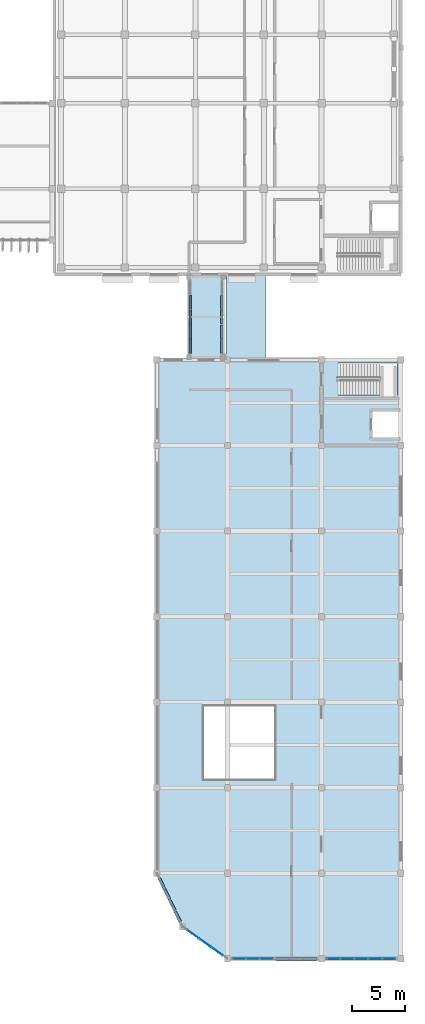
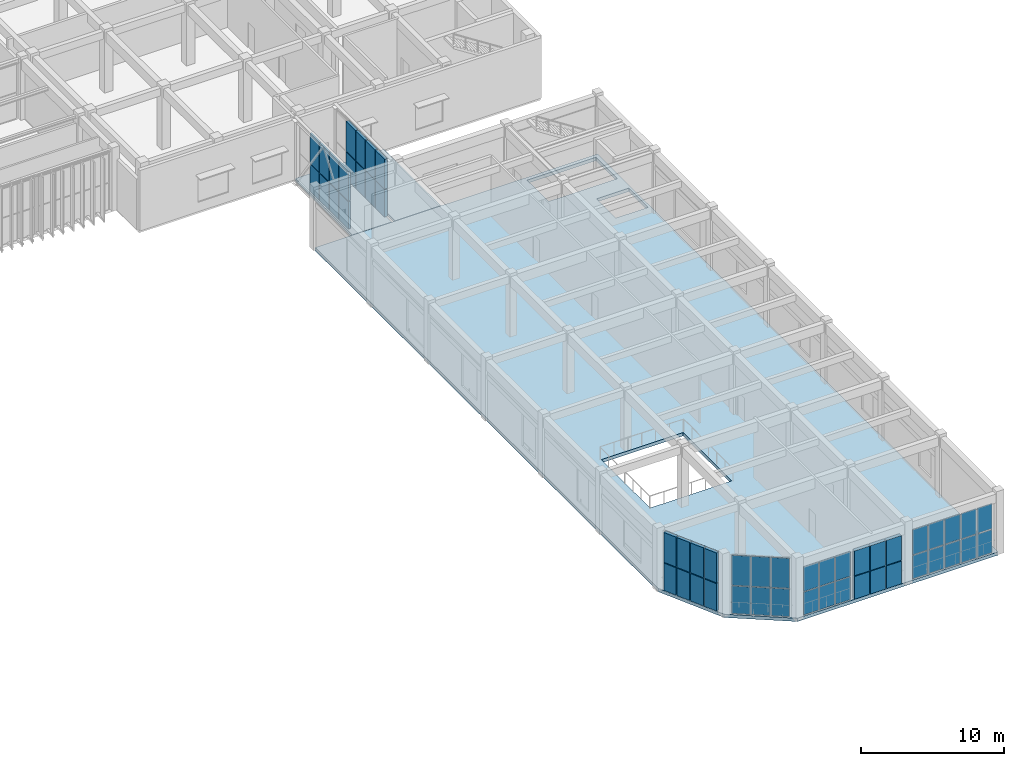
# One storey, part 33 of 64: 52 plates, 3 slabs, 7 elements without a shape of their own.
"""IFC4 building model written with IfcOpenShell, lengths in metres."""

from ifc_helpers import new_model, si_unit, direction, frame, origin, origin_2d, place, context, subcontext, project, spatial, polyline, rectangle, outline, extrude, material, layer, layer_set, type_object, element, aggregate, save


model = new_model("IFC4")

# Units and contexts
model_context = context("Model", 3, precision=1e-05, world=origin(), true_north=direction((0.0, 1.0)))
body_context = subcontext(model_context, "Body", "Model", "MODEL_VIEW")
ifc_project = project(units=[si_unit("LENGTHUNIT", "METRE"), si_unit("AREAUNIT", "SQUARE_METRE"), si_unit("VOLUMEUNIT", "CUBIC_METRE"), si_unit("PLANEANGLEUNIT", "RADIAN"), si_unit("MASSUNIT", "GRAM", prefix="KILO")], contexts=[model_context])

# Site, building, storey
site_placement = place(None, origin())
site = spatial("IfcSite", under=ifc_project, at=site_placement, CompositionType="ELEMENT")
building_placement = place(site_placement, origin())
building = spatial("IfcBuilding", under=site, at=building_placement, Name="Cinchona Park Media Centre", CompositionType="ELEMENT")
storey_placement = place(building_placement, frame((0.0, 0.0, 10.199951171875)))
storey = spatial("IfcBuildingStorey", under=building, at=storey_placement, Name="L02", CompositionType="ELEMENT", Elevation=10.199951171875)

# Curtain wall, plates
ifc_material_1 = material(Name="Aluminium Curtain Wall Framing", Category="aluminium")
ifc_layer_1 = layer(ifc_material_1, 0.239990234375)
ifc_layer_set_1 = layer_set([ifc_layer_1], Name="Aluminium Curtain Wall Framing")
curtain_wall_type_1 = type_object("IfcCurtainWallType", Name="CW-CW05", PredefinedType="USERDEFINED", material=ifc_layer_set_1)
curtain_wall_1_placement = place(storey_placement, origin())
curtain_wall_1 = element("IfcCurtainWall", 1, at=curtain_wall_1_placement, inside=storey, type_object=curtain_wall_type_1, Name="Curtain Wall CW05 L02", ObjectType="UNITISED CURTAIN WALL", PredefinedType="USERDEFINED")
ifc_material_2 = material(Name="Laminated Solar-Control Double Glazing", Category="glass")
ifc_layer_2 = layer(ifc_material_2, 0.030029296875)
ifc_layer_set_2 = layer_set([ifc_layer_2], Name="Laminated Solar-Control Double Glazing")
plate_type_1 = type_object("IfcPlateType", Name="CWPANEL-PNL02", PredefinedType="CURTAIN_PANEL", material=ifc_layer_set_2)
plate_1_placement = place(storey_placement, frame((159.453857421875, 7.60009765625, 0.114990234375), z_axis=(0.0, 0.0, 1.0), x_axis=(-1.0, 0.0, 0.0)))
plate_1 = element("IfcPlate", 2, at=plate_1_placement, type_object=plate_type_1, Name="CW05 panel 1.1", PredefinedType="CURTAIN_PANEL", context=body_context, shape_type="SweptSolid", body=[
    extrude(rectangle(XDim=1.202392578125, YDim=0.030029296875, at=origin_2d()), origin(), (0.0, 0.0, 1.0), 1.9423828125),
])
plate_2_placement = place(storey_placement, frame((159.453857421875, 7.60009765625, 2.12255859375), z_axis=(0.0, 0.0, 1.0), x_axis=(-1.0, 0.0, 0.0)))
plate_2 = element("IfcPlate", 3, at=plate_2_placement, type_object=plate_type_1, Name="CW05 panel 1.2", PredefinedType="CURTAIN_PANEL", context=body_context, shape_type="SweptSolid", body=[
    extrude(rectangle(XDim=1.202392578125, YDim=0.030029296875, at=origin_2d()), origin(), (0.0, 0.0, 1.0), 2.112548828125),
])
plate_3_placement = place(storey_placement, frame((158.169921875, 7.60009765625, 0.114990234375), z_axis=(0.0, 0.0, 1.0), x_axis=(-1.0, 0.0, 0.0)))
plate_3 = element("IfcPlate", 4, at=plate_3_placement, type_object=plate_type_1, Name="CW05 panel 2.1", PredefinedType="CURTAIN_PANEL", context=body_context, shape_type="SweptSolid", body=[
    extrude(rectangle(XDim=1.235107421875, YDim=0.030029296875, at=origin_2d()), origin(), (0.0, 0.0, 1.0), 1.9423828125),
])
plate_4_placement = place(storey_placement, frame((158.169921875, 7.60009765625, 2.12255859375), z_axis=(0.0, 0.0, 1.0), x_axis=(-1.0, 0.0, 0.0)))
plate_4 = element("IfcPlate", 5, at=plate_4_placement, type_object=plate_type_1, Name="CW05 panel 2.2", PredefinedType="CURTAIN_PANEL", context=body_context, shape_type="SweptSolid", body=[
    extrude(rectangle(XDim=1.235107421875, YDim=0.030029296875, at=origin_2d()), origin(), (0.0, 0.0, 1.0), 2.112548828125),
])
plate_5_placement = place(storey_placement, frame((156.88623046875, 7.60009765625, 0.114990234375), z_axis=(0.0, 0.0, 1.0), x_axis=(-1.0, 0.0, 0.0)))
plate_5 = element("IfcPlate", 6, at=plate_5_placement, type_object=plate_type_1, Name="CW05 panel 3.1", PredefinedType="CURTAIN_PANEL", context=body_context, shape_type="SweptSolid", body=[
    extrude(rectangle(XDim=1.202392578125, YDim=0.030029296875, at=origin_2d()), origin(), (0.0, 0.0, 1.0), 1.9423828125),
])
plate_6_placement = place(storey_placement, frame((156.88623046875, 7.60009765625, 2.12255859375), z_axis=(0.0, 0.0, 1.0), x_axis=(-1.0, 0.0, 0.0)))
plate_6 = element("IfcPlate", 7, at=plate_6_placement, type_object=plate_type_1, Name="CW05 panel 3.2", PredefinedType="CURTAIN_PANEL", context=body_context, shape_type="SweptSolid", body=[
    extrude(rectangle(XDim=1.202392578125, YDim=0.030029296875, at=origin_2d()), origin(), (0.0, 0.0, 1.0), 2.112548828125),
])
aggregate(curtain_wall_1, [plate_1, plate_2, plate_3, plate_4, plate_5, plate_6])

ifc_material_3 = material(Name="Aluminium Curtain Wall Framing", Category="aluminium")
ifc_layer_3 = layer(ifc_material_3, 0.2548828125)
ifc_layer_set_3 = layer_set([ifc_layer_3], Name="Aluminium Curtain Wall Framing")
curtain_wall_type_2 = type_object("IfcCurtainWallType", Name="CW-CW06", PredefinedType="USERDEFINED", material=ifc_layer_set_3)
curtain_wall_2_placement = place(storey_placement, origin())
curtain_wall_2 = element("IfcCurtainWall", 8, at=curtain_wall_2_placement, inside=storey, type_object=curtain_wall_type_2, Name="Curtain Wall CW06 L02", ObjectType="UNITISED CURTAIN WALL", PredefinedType="USERDEFINED")
ifc_material_4 = material(Name="Laminated Solar-Control Double Glazing", Category="glass")
ifc_layer_4 = layer(ifc_material_4, 0.0400390625)
ifc_layer_set_4 = layer_set([ifc_layer_4], Name="Laminated Solar-Control Double Glazing")
plate_type_2 = type_object("IfcPlateType", Name="CWPANEL-PNL03", PredefinedType="CURTAIN_PANEL", material=ifc_layer_set_4)
plate_7_placement = place(storey_placement, frame((170.9052734375, 7.60009765625, 0.125), z_axis=(0.0, 0.0, 1.0), x_axis=(-1.0, 0.0, 0.0)))
plate_7 = element("IfcPlate", 9, at=plate_7_placement, type_object=plate_type_2, Name="CW06 panel 1.1", PredefinedType="CURTAIN_PANEL", context=body_context, shape_type="SweptSolid", body=[
    extrude(rectangle(XDim=1.199462890625, YDim=0.0400390625, at=origin_2d()), origin(), (0.0, 0.0, 1.0), 1.9755859375),
])
plate_8_placement = place(storey_placement, frame((170.9052734375, 7.60009765625, 2.175537109375), z_axis=(0.0, 0.0, 1.0), x_axis=(-1.0, 0.0, 0.0)))
plate_8 = element("IfcPlate", 10, at=plate_8_placement, type_object=plate_type_2, Name="CW06 panel 1.2", PredefinedType="CURTAIN_PANEL", context=body_context, shape_type="SweptSolid", body=[
    extrude(rectangle(XDim=1.199462890625, YDim=0.0400390625, at=origin_2d()), origin(), (0.0, 0.0, 1.0), 2.1494140625),
])
plate_9_placement = place(storey_placement, frame((169.612060546875, 7.60009765625, 0.125), z_axis=(0.0, 0.0, 1.0), x_axis=(-1.0, 0.0, 0.0)))
plate_9 = element("IfcPlate", 11, at=plate_9_placement, type_object=plate_type_2, Name="CW06 panel 2.1", PredefinedType="CURTAIN_PANEL", context=body_context, shape_type="SweptSolid", body=[
    extrude(rectangle(XDim=1.237060546875, YDim=0.0400390625, at=origin_2d()), origin(), (0.0, 0.0, 1.0), 1.9755859375),
])
plate_10_placement = place(storey_placement, frame((169.612060546875, 7.60009765625, 2.175537109375), z_axis=(0.0, 0.0, 1.0), x_axis=(-1.0, 0.0, 0.0)))
plate_10 = element("IfcPlate", 12, at=plate_10_placement, type_object=plate_type_2, Name="CW06 panel 2.2", PredefinedType="CURTAIN_PANEL", context=body_context, shape_type="SweptSolid", body=[
    extrude(rectangle(XDim=1.237060546875, YDim=0.0400390625, at=origin_2d()), origin(), (0.0, 0.0, 1.0), 2.1494140625),
])
plate_11_placement = place(storey_placement, frame((168.300048828125, 7.60009765625, 0.125), z_axis=(0.0, 0.0, 1.0), x_axis=(-1.0, 0.0, 0.0)))
plate_11 = element("IfcPlate", 13, at=plate_11_placement, type_object=plate_type_2, Name="CW06 panel 3.1", PredefinedType="CURTAIN_PANEL", context=body_context, shape_type="SweptSolid", body=[
    extrude(rectangle(XDim=1.237060546875, YDim=0.0400390625, at=origin_2d()), origin(), (0.0, 0.0, 1.0), 1.9755859375),
])
plate_12_placement = place(storey_placement, frame((168.300048828125, 7.60009765625, 2.175537109375), z_axis=(0.0, 0.0, 1.0), x_axis=(-1.0, 0.0, 0.0)))
plate_12 = element("IfcPlate", 14, at=plate_12_placement, type_object=plate_type_2, Name="CW06 panel 3.2", PredefinedType="CURTAIN_PANEL", context=body_context, shape_type="SweptSolid", body=[
    extrude(rectangle(XDim=1.237060546875, YDim=0.0400390625, at=origin_2d()), origin(), (0.0, 0.0, 1.0), 2.1494140625),
])
plate_13_placement = place(storey_placement, frame((166.988037109375, 7.60009765625, 0.125), z_axis=(0.0, 0.0, 1.0), x_axis=(-1.0, 0.0, 0.0)))
plate_13 = element("IfcPlate", 15, at=plate_13_placement, type_object=plate_type_2, Name="CW06 panel 4.1", PredefinedType="CURTAIN_PANEL", context=body_context, shape_type="SweptSolid", body=[
    extrude(rectangle(XDim=1.237060546875, YDim=0.0400390625, at=origin_2d()), origin(), (0.0, 0.0, 1.0), 1.9755859375),
])
plate_14_placement = place(storey_placement, frame((166.988037109375, 7.60009765625, 2.175537109375), z_axis=(0.0, 0.0, 1.0), x_axis=(-1.0, 0.0, 0.0)))
plate_14 = element("IfcPlate", 16, at=plate_14_placement, type_object=plate_type_2, Name="CW06 panel 4.2", PredefinedType="CURTAIN_PANEL", context=body_context, shape_type="SweptSolid", body=[
    extrude(rectangle(XDim=1.237060546875, YDim=0.0400390625, at=origin_2d()), origin(), (0.0, 0.0, 1.0), 2.1494140625),
])
plate_15_placement = place(storey_placement, frame((165.69482421875, 7.60009765625, 0.125), z_axis=(0.0, 0.0, 1.0), x_axis=(-1.0, 0.0, 0.0)))
plate_15 = element("IfcPlate", 17, at=plate_15_placement, type_object=plate_type_2, Name="CW06 panel 5.1", PredefinedType="CURTAIN_PANEL", context=body_context, shape_type="SweptSolid", body=[
    extrude(rectangle(XDim=1.199462890625, YDim=0.0400390625, at=origin_2d()), origin(), (0.0, 0.0, 1.0), 1.9755859375),
])
plate_16_placement = place(storey_placement, frame((165.69482421875, 7.60009765625, 2.175537109375), z_axis=(0.0, 0.0, 1.0), x_axis=(-1.0, 0.0, 0.0)))
plate_16 = element("IfcPlate", 18, at=plate_16_placement, type_object=plate_type_2, Name="CW06 panel 5.2", PredefinedType="CURTAIN_PANEL", context=body_context, shape_type="SweptSolid", body=[
    extrude(rectangle(XDim=1.199462890625, YDim=0.0400390625, at=origin_2d()), origin(), (0.0, 0.0, 1.0), 2.1494140625),
])
aggregate(curtain_wall_2, [plate_7, plate_8, plate_9, plate_10, plate_11, plate_12, plate_13, plate_14, plate_15, plate_16])

ifc_material_5 = material(Name="Aluminium Curtain Wall Framing", Category="aluminium")
ifc_layer_5 = layer(ifc_material_5, 0.27001953125)
ifc_layer_set_5 = layer_set([ifc_layer_5], Name="Aluminium Curtain Wall Framing")
curtain_wall_type_3 = type_object("IfcCurtainWallType", Name="CW-CW07", PredefinedType="USERDEFINED", material=ifc_layer_set_5)
curtain_wall_3_placement = place(storey_placement, origin())
curtain_wall_3 = element("IfcCurtainWall", 19, at=curtain_wall_3_placement, inside=storey, type_object=curtain_wall_type_3, Name="Curtain Wall CW07 L02", ObjectType="UNITISED CURTAIN WALL", PredefinedType="USERDEFINED")
plate_17_placement = place(storey_placement, frame((154.82666015625, 8.294677734375, 0.114990234375), z_axis=(0.0, 0.0, 1.0), x_axis=(-0.813604858776, 0.581418209016, 0.0)))
plate_17 = element("IfcPlate", 20, at=plate_17_placement, type_object=plate_type_2, Name="CW07 panel 1.1", PredefinedType="CURTAIN_PANEL", context=body_context, shape_type="SweptSolid", body=[
    extrude(rectangle(XDim=1.3037109375, YDim=0.0400390625, at=origin_2d()), origin(), (0.0, 0.0, 1.0), 2.3505859375),
])
plate_18_placement = place(storey_placement, frame((154.82666015625, 8.294677734375, 2.53076171875), z_axis=(0.0, 0.0, 1.0), x_axis=(-0.813604858776, 0.581418209016, 0.0)))
plate_18 = element("IfcPlate", 21, at=plate_18_placement, type_object=plate_type_2, Name="CW07 panel 1.2", PredefinedType="CURTAIN_PANEL", context=body_context, shape_type="SweptSolid", body=[
    extrude(rectangle(XDim=1.3037109375, YDim=0.0400390625, at=origin_2d()), origin(), (0.0, 0.0, 1.0), 2.554443359375),
])
plate_19_placement = place(storey_placement, frame((153.699951171875, 9.10009765625, 0.114990234375), z_axis=(0.0, 0.0, 1.0), x_axis=(-0.813604858776, 0.581418209016, 0.0)))
plate_19 = element("IfcPlate", 22, at=plate_19_placement, type_object=plate_type_2, Name="CW07 panel 2.1", PredefinedType="CURTAIN_PANEL", context=body_context, shape_type="SweptSolid", body=[
    extrude(rectangle(XDim=1.336181640625, YDim=0.0400390625, at=origin_2d()), origin(), (0.0, 0.0, 1.0), 2.3505859375),
])
plate_20_placement = place(storey_placement, frame((153.699951171875, 9.10009765625, 2.53076171875), z_axis=(0.0, 0.0, 1.0), x_axis=(-0.813604858776, 0.581418209016, 0.0)))
plate_20 = element("IfcPlate", 23, at=plate_20_placement, type_object=plate_type_2, Name="CW07 panel 2.2", PredefinedType="CURTAIN_PANEL", context=body_context, shape_type="SweptSolid", body=[
    extrude(rectangle(XDim=1.336181640625, YDim=0.0400390625, at=origin_2d()), origin(), (0.0, 0.0, 1.0), 2.554443359375),
])
plate_21_placement = place(storey_placement, frame((152.5732421875, 9.9052734375, 0.114990234375), z_axis=(0.0, 0.0, 1.0), x_axis=(-0.813604858776, 0.581418209016, 0.0)))
plate_21 = element("IfcPlate", 24, at=plate_21_placement, type_object=plate_type_2, Name="CW07 panel 3.1", PredefinedType="CURTAIN_PANEL", context=body_context, shape_type="SweptSolid", body=[
    extrude(rectangle(XDim=1.3037109375, YDim=0.0400390625, at=origin_2d()), origin(), (0.0, 0.0, 1.0), 2.3505859375),
])
plate_22_placement = place(storey_placement, frame((152.5732421875, 9.9052734375, 2.53076171875), z_axis=(0.0, 0.0, 1.0), x_axis=(-0.813604858776, 0.581418209016, 0.0)))
plate_22 = element("IfcPlate", 25, at=plate_22_placement, type_object=plate_type_2, Name="CW07 panel 3.2", PredefinedType="CURTAIN_PANEL", context=body_context, shape_type="SweptSolid", body=[
    extrude(rectangle(XDim=1.3037109375, YDim=0.0400390625, at=origin_2d()), origin(), (0.0, 0.0, 1.0), 2.554443359375),
])
aggregate(curtain_wall_3, [plate_17, plate_18, plate_19, plate_20, plate_21, plate_22])

ifc_material_6 = material(Name="Aluminium Curtain Wall Framing", Category="aluminium")
ifc_layer_6 = layer(ifc_material_6, 0.195068359375)
ifc_layer_set_6 = layer_set([ifc_layer_6], Name="Aluminium Curtain Wall Framing")
curtain_wall_type_4 = type_object("IfcCurtainWallType", Name="CW-CW02", PredefinedType="USERDEFINED", material=ifc_layer_set_6)
curtain_wall_4_placement = place(storey_placement, origin())
curtain_wall_4 = element("IfcCurtainWall", 26, at=curtain_wall_4_placement, inside=storey, type_object=curtain_wall_type_4, Name="Skybridge SB2 Curtain Wall CW02 L02", ObjectType="UNITISED CURTAIN WALL", PredefinedType="USERDEFINED")
ifc_material_7 = material(Name="Insulated Acoustic Aluminium-Glass Spandrel Cassette", Category="aluminium")
ifc_layer_7 = layer(ifc_material_7, 0.159912109375)
ifc_layer_set_7 = layer_set([ifc_layer_7], Name="Insulated Acoustic Aluminium-Glass Spandrel Cassette")
plate_type_3 = type_object("IfcPlateType", Name="CWPANEL-PNL15", PredefinedType="CURTAIN_PANEL", material=ifc_layer_set_7)
plate_23_placement = place(storey_placement, frame((152.320068359375, 64.872314453125, 0.115234375), z_axis=(0.0, 0.0, 1.0), x_axis=(0.0, 1.0, 0.0)))
plate_23 = element("IfcPlate", 27, at=plate_23_placement, type_object=plate_type_3, Name="CW02 panel 1.1", PredefinedType="CURTAIN_PANEL", context=body_context, shape_type="SweptSolid", body=[
    extrude(rectangle(XDim=1.2744140625, YDim=0.159912109375, at=origin_2d()), origin(), (0.0, 0.0, 1.0), 2.326416015625),
])
plate_24_placement = place(storey_placement, frame((152.320068359375, 64.872314453125, 2.50634765625), z_axis=(0.0, 0.0, 1.0), x_axis=(0.0, 1.0, 0.0)))
plate_24 = element("IfcPlate", 28, at=plate_24_placement, type_object=plate_type_3, Name="CW02 panel 1.2", PredefinedType="CURTAIN_PANEL", context=body_context, shape_type="SweptSolid", body=[
    extrude(rectangle(XDim=1.2744140625, YDim=0.159912109375, at=origin_2d()), origin(), (0.0, 0.0, 1.0), 2.528564453125),
])
plate_25_placement = place(storey_placement, frame((152.320068359375, 66.22802734375, 0.115234375), z_axis=(0.0, 0.0, 1.0), x_axis=(0.0, 1.0, 0.0)))
plate_25 = element("IfcPlate", 29, at=plate_25_placement, type_object=plate_type_3, Name="CW02 panel 2.1", PredefinedType="CURTAIN_PANEL", context=body_context, shape_type="SweptSolid", body=[
    extrude(rectangle(XDim=1.306884765625, YDim=0.159912109375, at=origin_2d()), origin(), (0.0, 0.0, 1.0), 2.326416015625),
])
plate_26_placement = place(storey_placement, frame((152.320068359375, 66.22802734375, 2.50634765625), z_axis=(0.0, 0.0, 1.0), x_axis=(0.0, 1.0, 0.0)))
plate_26 = element("IfcPlate", 30, at=plate_26_placement, type_object=plate_type_3, Name="CW02 panel 2.2", PredefinedType="CURTAIN_PANEL", context=body_context, shape_type="SweptSolid", body=[
    extrude(rectangle(XDim=1.306884765625, YDim=0.159912109375, at=origin_2d()), origin(), (0.0, 0.0, 1.0), 2.528564453125),
])
plate_27_placement = place(storey_placement, frame((152.320068359375, 67.60009765625, 0.115234375), z_axis=(0.0, 0.0, 1.0), x_axis=(0.0, 1.0, 0.0)))
plate_27 = element("IfcPlate", 31, at=plate_27_placement, type_object=plate_type_3, Name="CW02 panel 3.1", PredefinedType="CURTAIN_PANEL", context=body_context, shape_type="SweptSolid", body=[
    extrude(rectangle(XDim=1.306884765625, YDim=0.159912109375, at=origin_2d()), origin(), (0.0, 0.0, 1.0), 2.326416015625),
])
plate_28_placement = place(storey_placement, frame((152.320068359375, 67.60009765625, 2.50634765625), z_axis=(0.0, 0.0, 1.0), x_axis=(0.0, 1.0, 0.0)))
plate_28 = element("IfcPlate", 32, at=plate_28_placement, type_object=plate_type_3, Name="CW02 panel 3.2", PredefinedType="CURTAIN_PANEL", context=body_context, shape_type="SweptSolid", body=[
    extrude(rectangle(XDim=1.306884765625, YDim=0.159912109375, at=origin_2d()), origin(), (0.0, 0.0, 1.0), 2.528564453125),
])
plate_29_placement = place(storey_placement, frame((152.320068359375, 68.971923828125, 0.115234375), z_axis=(0.0, 0.0, 1.0), x_axis=(0.0, 1.0, 0.0)))
plate_29 = element("IfcPlate", 33, at=plate_29_placement, type_object=plate_type_3, Name="CW02 panel 4.1", PredefinedType="CURTAIN_PANEL", context=body_context, shape_type="SweptSolid", body=[
    extrude(rectangle(XDim=1.306884765625, YDim=0.159912109375, at=origin_2d()), origin(), (0.0, 0.0, 1.0), 2.326416015625),
])
plate_30_placement = place(storey_placement, frame((152.320068359375, 68.971923828125, 2.50634765625), z_axis=(0.0, 0.0, 1.0), x_axis=(0.0, 1.0, 0.0)))
plate_30 = element("IfcPlate", 34, at=plate_30_placement, type_object=plate_type_3, Name="CW02 panel 4.2", PredefinedType="CURTAIN_PANEL", context=body_context, shape_type="SweptSolid", body=[
    extrude(rectangle(XDim=1.306884765625, YDim=0.159912109375, at=origin_2d()), origin(), (0.0, 0.0, 1.0), 2.528564453125),
])
aggregate(curtain_wall_4, [plate_23, plate_24, plate_25, plate_26, plate_27, plate_28, plate_29, plate_30])

curtain_wall_5_placement = place(storey_placement, origin())
curtain_wall_5 = element("IfcCurtainWall", 35, at=curtain_wall_5_placement, inside=storey, type_object=curtain_wall_type_4, Name="Skybridge SB2 Curtain Wall CW02 L02", ObjectType="UNITISED CURTAIN WALL", PredefinedType="USERDEFINED")
ifc_material_8 = material(Name="Insulated Acoustic Aluminium-Glass Spandrel Cassette", Category="aluminium")
ifc_layer_8 = layer(ifc_material_8, 0.22998046875)
ifc_layer_set_8 = layer_set([ifc_layer_8], Name="Insulated Acoustic Aluminium-Glass Spandrel Cassette")
plate_type_4 = type_object("IfcPlateType", Name="CWPANEL-PNL22", PredefinedType="CURTAIN_PANEL", material=ifc_layer_set_8)
plate_31_placement = place(storey_placement, frame((155.280029296875, 68.971923828125, 0.115234375), z_axis=(0.0, 0.0, 1.0), x_axis=(0.0, -1.0, 0.0)))
plate_31 = element("IfcPlate", 36, at=plate_31_placement, type_object=plate_type_4, Name="CW02 panel 2.1", PredefinedType="CURTAIN_PANEL", context=body_context, shape_type="SweptSolid", body=[
    extrude(rectangle(XDim=1.306884765625, YDim=0.22998046875, at=origin_2d()), origin(), (0.0, 0.0, 1.0), 2.326416015625),
])
plate_32_placement = place(storey_placement, frame((155.280029296875, 68.971923828125, 2.50634765625), z_axis=(0.0, 0.0, 1.0), x_axis=(0.0, -1.0, 0.0)))
plate_32 = element("IfcPlate", 37, at=plate_32_placement, type_object=plate_type_4, Name="CW02 panel 2.2", PredefinedType="CURTAIN_PANEL", context=body_context, shape_type="SweptSolid", body=[
    extrude(rectangle(XDim=1.306884765625, YDim=0.22998046875, at=origin_2d()), origin(), (0.0, 0.0, 1.0), 2.528564453125),
])
plate_33_placement = place(storey_placement, frame((155.280029296875, 67.60009765625, 0.115234375), z_axis=(0.0, 0.0, 1.0), x_axis=(0.0, -1.0, 0.0)))
plate_33 = element("IfcPlate", 38, at=plate_33_placement, type_object=plate_type_4, Name="CW02 panel 3.1", PredefinedType="CURTAIN_PANEL", context=body_context, shape_type="SweptSolid", body=[
    extrude(rectangle(XDim=1.306884765625, YDim=0.22998046875, at=origin_2d()), origin(), (0.0, 0.0, 1.0), 2.326416015625),
])
plate_34_placement = place(storey_placement, frame((155.280029296875, 67.60009765625, 2.50634765625), z_axis=(0.0, 0.0, 1.0), x_axis=(0.0, -1.0, 0.0)))
plate_34 = element("IfcPlate", 39, at=plate_34_placement, type_object=plate_type_4, Name="CW02 panel 3.2", PredefinedType="CURTAIN_PANEL", context=body_context, shape_type="SweptSolid", body=[
    extrude(rectangle(XDim=1.306884765625, YDim=0.22998046875, at=origin_2d()), origin(), (0.0, 0.0, 1.0), 2.528564453125),
])
plate_35_placement = place(storey_placement, frame((155.280029296875, 66.22802734375, 0.115234375), z_axis=(0.0, 0.0, 1.0), x_axis=(0.0, -1.0, 0.0)))
plate_35 = element("IfcPlate", 40, at=plate_35_placement, type_object=plate_type_4, Name="CW02 panel 4.1", PredefinedType="CURTAIN_PANEL", context=body_context, shape_type="SweptSolid", body=[
    extrude(rectangle(XDim=1.306884765625, YDim=0.22998046875, at=origin_2d()), origin(), (0.0, 0.0, 1.0), 2.326416015625),
])
plate_36_placement = place(storey_placement, frame((155.280029296875, 66.22802734375, 2.50634765625), z_axis=(0.0, 0.0, 1.0), x_axis=(0.0, -1.0, 0.0)))
plate_36 = element("IfcPlate", 41, at=plate_36_placement, type_object=plate_type_4, Name="CW02 panel 4.2", PredefinedType="CURTAIN_PANEL", context=body_context, shape_type="SweptSolid", body=[
    extrude(rectangle(XDim=1.306884765625, YDim=0.22998046875, at=origin_2d()), origin(), (0.0, 0.0, 1.0), 2.528564453125),
])
plate_37_placement = place(storey_placement, frame((155.280029296875, 64.872314453125, 0.115234375), z_axis=(0.0, 0.0, 1.0), x_axis=(0.0, -1.0, 0.0)))
plate_37 = element("IfcPlate", 42, at=plate_37_placement, type_object=plate_type_4, Name="CW02 panel 5.1", PredefinedType="CURTAIN_PANEL", context=body_context, shape_type="SweptSolid", body=[
    extrude(rectangle(XDim=1.2744140625, YDim=0.22998046875, at=origin_2d()), origin(), (0.0, 0.0, 1.0), 2.326416015625),
])
plate_38_placement = place(storey_placement, frame((155.280029296875, 64.872314453125, 2.50634765625), z_axis=(0.0, 0.0, 1.0), x_axis=(0.0, -1.0, 0.0)))
plate_38 = element("IfcPlate", 43, at=plate_38_placement, type_object=plate_type_4, Name="CW02 panel 5.2", PredefinedType="CURTAIN_PANEL", context=body_context, shape_type="SweptSolid", body=[
    extrude(rectangle(XDim=1.2744140625, YDim=0.22998046875, at=origin_2d()), origin(), (0.0, 0.0, 1.0), 2.528564453125),
])
aggregate(curtain_wall_5, [plate_31, plate_32, plate_33, plate_34, plate_35, plate_36, plate_37, plate_38])

ifc_material_9 = material(Name="Aluminium Curtain Wall Framing", Category="aluminium")
ifc_layer_9 = layer(ifc_material_9, 0.2099609375)
ifc_layer_set_9 = layer_set([ifc_layer_9], Name="Aluminium Curtain Wall Framing")
curtain_wall_type_5 = type_object("IfcCurtainWallType", Name="CW-CW03", PredefinedType="USERDEFINED", material=ifc_layer_set_9)
curtain_wall_6_placement = place(storey_placement, origin())
curtain_wall_6 = element("IfcCurtainWall", 44, at=curtain_wall_6_placement, inside=storey, type_object=curtain_wall_type_5, Name="Curtain Wall CW03 L02", ObjectType="UNITISED CURTAIN WALL", PredefinedType="USERDEFINED")
ifc_material_10 = material(Name="Insulated Acoustic Aluminium-Glass Spandrel Cassette", Category="aluminium")
ifc_layer_10 = layer(ifc_material_10, 0.260009765625)
ifc_layer_set_10 = layer_set([ifc_layer_10], Name="Insulated Acoustic Aluminium-Glass Spandrel Cassette")
plate_type_5 = type_object("IfcPlateType", Name="CWPANEL-PNL25", PredefinedType="CURTAIN_PANEL", material=ifc_layer_set_10)
plate_39_placement = place(storey_placement, frame((151.142578125, 11.55322265625, 0.125), z_axis=(0.0, 0.0, 1.0), x_axis=(-0.432801347319, 0.901489319825, 0.0)))
plate_39 = element("IfcPlate", 45, at=plate_39_placement, type_object=plate_type_5, Name="CW03 panel 1.1", PredefinedType="CURTAIN_PANEL", context=body_context, shape_type="SweptSolid", body=[
    extrude(rectangle(XDim=1.0439453125, YDim=0.260009765625, at=origin_2d()), origin(), (0.0, 0.0, 1.0), 2.33544921875),
])
plate_40_placement = place(storey_placement, frame((151.142578125, 11.55322265625, 2.53564453125), z_axis=(0.0, 0.0, 1.0), x_axis=(-0.432801347319, 0.901489319825, 0.0)))
plate_40 = element("IfcPlate", 46, at=plate_40_placement, type_object=plate_type_5, Name="CW03 panel 1.2", PredefinedType="CURTAIN_PANEL", context=body_context, shape_type="SweptSolid", body=[
    extrude(rectangle(XDim=1.0439453125, YDim=0.260009765625, at=origin_2d()), origin(), (0.0, 0.0, 1.0), 2.53955078125),
])
plate_41_placement = place(storey_placement, frame((150.650146484375, 12.578857421875, 0.125), z_axis=(0.0, 0.0, 1.0), x_axis=(-0.432801347319, 0.901489319825, 0.0)))
plate_41 = element("IfcPlate", 47, at=plate_41_placement, type_object=plate_type_5, Name="CW03 panel 2.1", PredefinedType="CURTAIN_PANEL", context=body_context, shape_type="SweptSolid", body=[
    extrude(rectangle(XDim=1.081298828125, YDim=0.260009765625, at=origin_2d()), origin(), (0.0, 0.0, 1.0), 2.33544921875),
])
plate_42_placement = place(storey_placement, frame((150.650146484375, 12.578857421875, 2.53564453125), z_axis=(0.0, 0.0, 1.0), x_axis=(-0.432801347319, 0.901489319825, 0.0)))
plate_42 = element("IfcPlate", 48, at=plate_42_placement, type_object=plate_type_5, Name="CW03 panel 2.2", PredefinedType="CURTAIN_PANEL", context=body_context, shape_type="SweptSolid", body=[
    extrude(rectangle(XDim=1.081298828125, YDim=0.260009765625, at=origin_2d()), origin(), (0.0, 0.0, 1.0), 2.53955078125),
])
plate_43_placement = place(storey_placement, frame((150.149658203125, 13.621337890625, 0.125), z_axis=(0.0, 0.0, 1.0), x_axis=(-0.432801347319, 0.901489319825, 0.0)))
plate_43 = element("IfcPlate", 49, at=plate_43_placement, type_object=plate_type_5, Name="CW03 panel 3.1", PredefinedType="CURTAIN_PANEL", context=body_context, shape_type="SweptSolid", body=[
    extrude(rectangle(XDim=1.081298828125, YDim=0.260009765625, at=origin_2d()), origin(), (0.0, 0.0, 1.0), 2.33544921875),
])
plate_44_placement = place(storey_placement, frame((150.149658203125, 13.621337890625, 2.53564453125), z_axis=(0.0, 0.0, 1.0), x_axis=(-0.432801347319, 0.901489319825, 0.0)))
plate_44 = element("IfcPlate", 50, at=plate_44_placement, type_object=plate_type_5, Name="CW03 panel 3.2", PredefinedType="CURTAIN_PANEL", context=body_context, shape_type="SweptSolid", body=[
    extrude(rectangle(XDim=1.081298828125, YDim=0.260009765625, at=origin_2d()), origin(), (0.0, 0.0, 1.0), 2.53955078125),
])
plate_45_placement = place(storey_placement, frame((149.657470703125, 14.646728515625, 0.125), z_axis=(0.0, 0.0, 1.0), x_axis=(-0.432801347319, 0.901489319825, 0.0)))
plate_45 = element("IfcPlate", 51, at=plate_45_placement, type_object=plate_type_5, Name="CW03 panel 4.1", PredefinedType="CURTAIN_PANEL", context=body_context, shape_type="SweptSolid", body=[
    extrude(rectangle(XDim=1.0439453125, YDim=0.260009765625, at=origin_2d()), origin(), (0.0, 0.0, 1.0), 2.33544921875),
])
plate_46_placement = place(storey_placement, frame((149.657470703125, 14.646728515625, 2.53564453125), z_axis=(0.0, 0.0, 1.0), x_axis=(-0.432801347319, 0.901489319825, 0.0)))
plate_46 = element("IfcPlate", 52, at=plate_46_placement, type_object=plate_type_5, Name="CW03 panel 4.2", PredefinedType="CURTAIN_PANEL", context=body_context, shape_type="SweptSolid", body=[
    extrude(rectangle(XDim=1.0439453125, YDim=0.260009765625, at=origin_2d()), origin(), (0.0, 0.0, 1.0), 2.53955078125),
])
aggregate(curtain_wall_6, [plate_39, plate_40, plate_41, plate_42, plate_43, plate_44, plate_45, plate_46])

ifc_material_11 = material(Name="Aluminium Curtain Wall Framing", Category="aluminium")
ifc_layer_11 = layer(ifc_material_11, 0.22509765625)
ifc_layer_set_11 = layer_set([ifc_layer_11], Name="Aluminium Curtain Wall Framing")
curtain_wall_type_6 = type_object("IfcCurtainWallType", Name="CW-CW04", PredefinedType="USERDEFINED", material=ifc_layer_set_11)
curtain_wall_7_placement = place(storey_placement, origin())
curtain_wall_7 = element("IfcCurtainWall", 53, at=curtain_wall_7_placement, inside=storey, type_object=curtain_wall_type_6, Name="Curtain Wall CW04 L02", ObjectType="UNITISED CURTAIN WALL", PredefinedType="USERDEFINED")
ifc_material_12 = material(Name="Insulated Acoustic Aluminium-Glass Spandrel Cassette", Category="aluminium")
ifc_layer_12 = layer(ifc_material_12, 0.27001953125)
ifc_layer_set_12 = layer_set([ifc_layer_12], Name="Insulated Acoustic Aluminium-Glass Spandrel Cassette")
plate_type_6 = type_object("IfcPlateType", Name="CWPANEL-PNL26", PredefinedType="CURTAIN_PANEL", material=ifc_layer_set_12)
plate_47_placement = place(storey_placement, frame((163.513671875, 7.60009765625, 0.114990234375), z_axis=(0.0, 0.0, 1.0), x_axis=(-1.0, 0.0, 0.0)))
plate_47 = element("IfcPlate", 54, at=plate_47_placement, type_object=plate_type_6, Name="CW04 panel 1.1", PredefinedType="CURTAIN_PANEL", context=body_context, shape_type="SweptSolid", body=[
    extrude(rectangle(XDim=1.202392578125, YDim=0.27001953125, at=origin_2d()), origin(), (0.0, 0.0, 1.0), 1.9423828125),
])
plate_48_placement = place(storey_placement, frame((163.513671875, 7.60009765625, 2.12255859375), z_axis=(0.0, 0.0, 1.0), x_axis=(-1.0, 0.0, 0.0)))
plate_48 = element("IfcPlate", 55, at=plate_48_placement, type_object=plate_type_6, Name="CW04 panel 1.2", PredefinedType="CURTAIN_PANEL", context=body_context, shape_type="SweptSolid", body=[
    extrude(rectangle(XDim=1.202392578125, YDim=0.27001953125, at=origin_2d()), origin(), (0.0, 0.0, 1.0), 2.112548828125),
])
plate_49_placement = place(storey_placement, frame((162.22998046875, 7.60009765625, 0.114990234375), z_axis=(0.0, 0.0, 1.0), x_axis=(-1.0, 0.0, 0.0)))
plate_49 = element("IfcPlate", 56, at=plate_49_placement, type_object=plate_type_6, Name="CW04 panel 2.1", PredefinedType="CURTAIN_PANEL", context=body_context, shape_type="SweptSolid", body=[
    extrude(rectangle(XDim=1.235107421875, YDim=0.27001953125, at=origin_2d()), origin(), (0.0, 0.0, 1.0), 1.9423828125),
])
plate_50_placement = place(storey_placement, frame((162.22998046875, 7.60009765625, 2.12255859375), z_axis=(0.0, 0.0, 1.0), x_axis=(-1.0, 0.0, 0.0)))
plate_50 = element("IfcPlate", 57, at=plate_50_placement, type_object=plate_type_6, Name="CW04 panel 2.2", PredefinedType="CURTAIN_PANEL", context=body_context, shape_type="SweptSolid", body=[
    extrude(rectangle(XDim=1.235107421875, YDim=0.27001953125, at=origin_2d()), origin(), (0.0, 0.0, 1.0), 2.112548828125),
])
plate_51_placement = place(storey_placement, frame((160.9462890625, 7.60009765625, 0.114990234375), z_axis=(0.0, 0.0, 1.0), x_axis=(-1.0, 0.0, 0.0)))
plate_51 = element("IfcPlate", 58, at=plate_51_placement, type_object=plate_type_6, Name="CW04 panel 3.1", PredefinedType="CURTAIN_PANEL", context=body_context, shape_type="SweptSolid", body=[
    extrude(rectangle(XDim=1.202392578125, YDim=0.27001953125, at=origin_2d()), origin(), (0.0, 0.0, 1.0), 1.9423828125),
])
plate_52_placement = place(storey_placement, frame((160.9462890625, 7.60009765625, 2.12255859375), z_axis=(0.0, 0.0, 1.0), x_axis=(-1.0, 0.0, 0.0)))
plate_52 = element("IfcPlate", 59, at=plate_52_placement, type_object=plate_type_6, Name="CW04 panel 3.2", PredefinedType="CURTAIN_PANEL", context=body_context, shape_type="SweptSolid", body=[
    extrude(rectangle(XDim=1.202392578125, YDim=0.27001953125, at=origin_2d()), origin(), (0.0, 0.0, 1.0), 2.112548828125),
])
aggregate(curtain_wall_7, [plate_47, plate_48, plate_49, plate_50, plate_51, plate_52])

# Slabs
ifc_material_13 = material(Name="Concrete C35/45", Category="concrete")
ifc_layer_13 = layer(ifc_material_13, 0.195068359375)
ifc_layer_set_13 = layer_set([ifc_layer_13], Name="Concrete C35/45")
slab_type_1 = type_object("IfcSlabType", Name="SLAB-RS03-195", PredefinedType="ROOF", material=ifc_layer_set_13)
slab_1_placement = place(storey_placement, frame((0.0, 0.0, -0.195068359375)))
element("IfcSlab", 60, at=slab_1_placement, inside=storey, type_object=slab_type_1, Name="Skybridge Roof Slab SB1", PredefinedType="ROOF", context=body_context, shape_type="SweptSolid", body=[
    extrude(outline(polyline([(155.64990234375, 63.6201171875), (159.35009765625, 63.6201171875), (159.35009765625, 71.580078125), (155.64990234375, 71.580078125), (155.64990234375, 63.6201171875)])), origin(), (0.0, 0.0, 1.0), 0.195068359375),
])
ifc_material_14 = material(Name="Concrete C35/45", Category="concrete")
ifc_layer_14 = layer(ifc_material_14, 0.280029296875)
ifc_layer_set_14 = layer_set([ifc_layer_14], Name="Concrete C35/45")
slab_type_2 = type_object("IfcSlabType", Name="SLAB-SL04-280", PredefinedType="FLOOR", material=ifc_layer_set_14)
slab_2_placement = place(storey_placement, frame((0.0, 0.0, -0.280029296875)))
element("IfcSlab", 61, at=slab_2_placement, inside=storey, type_object=slab_type_2, Name="Media Library Book Stacks Floor Slab V6 L02", PredefinedType="FLOOR", context=body_context, shape_type="SweptSolid", body=[
    extrude(outline(polyline([(155.800048828125, 7.60009765625), (172.0, 7.60009765625), (172.0, 63.60009765625), (149.199951171875, 63.60009765625), (149.199951171875, 15.60009765625), (151.60009765625, 10.60009765625), (155.800048828125, 7.60009765625)]), holes=[polyline([(166.135009765625, 60.300048828125), (171.699951171875, 60.300048828125), (171.699951171875, 63.300048828125), (166.135009765625, 63.300048828125), (166.135009765625, 60.300048828125)]), polyline([(169.199951171875, 56.199951171875), (171.800048828125, 56.199951171875), (171.800048828125, 58.89990234375), (169.199951171875, 58.89990234375), (169.199951171875, 56.199951171875)]), polyline([(153.60009765625, 24.39990234375), (160.199951171875, 24.39990234375), (160.199951171875, 31.199951171875), (153.60009765625, 31.199951171875), (153.60009765625, 24.39990234375)])]), origin(), (0.0, 0.0, 1.0), 0.280029296875),
])
ifc_material_15 = material(Name="Concrete C35/45", Category="concrete")
ifc_layer_15 = layer(ifc_material_15, 0.22998046875)
ifc_layer_set_15 = layer_set([ifc_layer_15], Name="Concrete C35/45")
slab_type_3 = type_object("IfcSlabType", Name="SLAB-SL10-230", PredefinedType="FLOOR", material=ifc_layer_set_15)
slab_3_placement = place(storey_placement, frame((0.0, 0.0, -0.22998046875)))
element("IfcSlab", 62, at=slab_3_placement, inside=storey, type_object=slab_type_3, Name="Skybridge Floor Slab SB2 L02", PredefinedType="FLOOR", context=body_context, shape_type="SweptSolid", body=[
    extrude(outline(polyline([(152.199951171875, 63.6201171875), (155.39990234375, 63.6201171875), (155.39990234375, 71.580078125), (152.199951171875, 71.580078125), (152.199951171875, 63.6201171875)])), origin(), (0.0, 0.0, 1.0), 0.22998046875),
])

save(model, "model.ifc")
